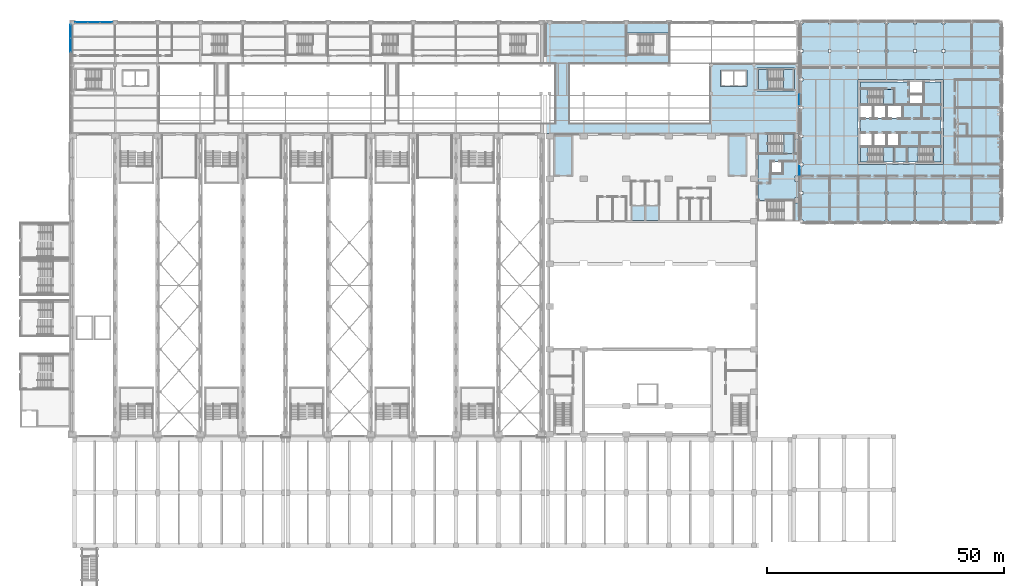
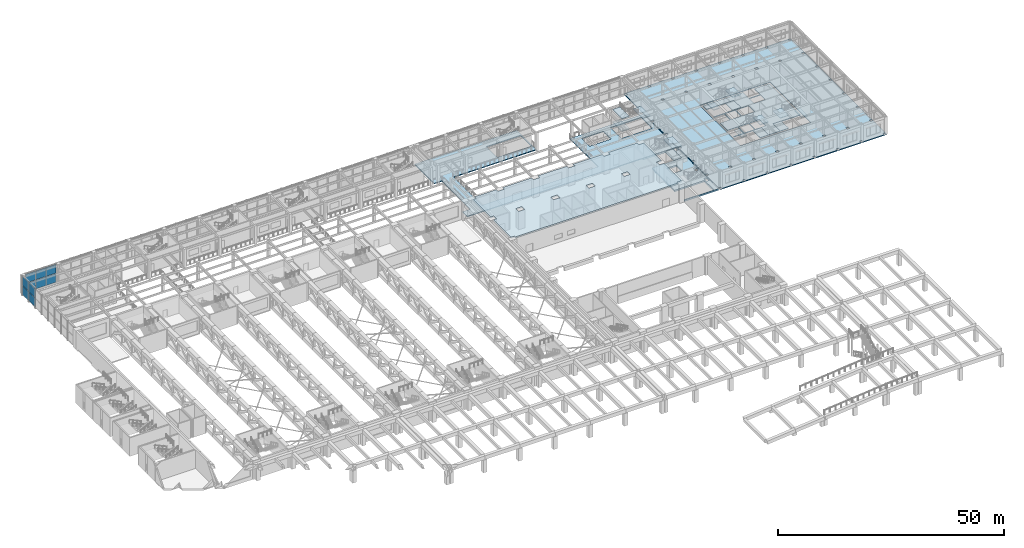
# One storey, part 29 of 76: 20 slabs, 12 plates, 7 elements without a shape of their own.
"""IFC4 building model written with IfcOpenShell, lengths in metres."""

from ifc_helpers import new_model, si_unit, direction, frame, origin, origin_2d, place, context, subcontext, project, spatial, polyline, rectangle, outline, extrude, material, layer, layer_set, type_object, element, aggregate, save


model = new_model("IFC4")

# Units and contexts
model_context = context("Model", 3, precision=1e-05, world=origin(), true_north=direction((0.0, 1.0)))
body_context = subcontext(model_context, "Body", "Model", "MODEL_VIEW")
ifc_project = project(units=[si_unit("LENGTHUNIT", "METRE"), si_unit("AREAUNIT", "SQUARE_METRE"), si_unit("VOLUMEUNIT", "CUBIC_METRE"), si_unit("PLANEANGLEUNIT", "RADIAN"), si_unit("MASSUNIT", "GRAM", prefix="KILO")], contexts=[model_context])

# Site, building, storey
site_placement = place(None, origin())
site = spatial("IfcSite", under=ifc_project, at=site_placement, CompositionType="ELEMENT")
building_placement = place(site_placement, origin())
building = spatial("IfcBuilding", under=site, at=building_placement, Name="Aravalli Gate Trade Fair Centre", CompositionType="ELEMENT")
storey_placement = place(building_placement, frame((0.0, 0.0, 10.0)))
storey = spatial("IfcBuildingStorey", under=building, at=storey_placement, Name="L02", CompositionType="ELEMENT", Elevation=10.0)

# Slab
ifc_material_1 = material(Name="Concrete M40", Category="concrete")
ifc_layer_1 = layer(ifc_material_1, 0.199951171875)
ifc_layer_set_1 = layer_set([ifc_layer_1], Name="Concrete M40")
slab_type_1 = type_object("IfcSlabType", Name="Concourse gallery slab 200", PredefinedType="FLOOR", material=ifc_layer_set_1)
slab_1_placement = place(storey_placement, frame((0.0, 0.0, -0.199951171875)))
element("IfcSlab", 1, at=slab_1_placement, inside=storey, type_object=slab_type_1, Name="Concourse gallery slab L02 3", PredefinedType="FLOOR", context=body_context, shape_type="SweptSolid", body=[
    extrude(outline(polyline([(132.14990234375, 132.919921875), (106.0, 132.919921875), (106.0, 124.300048828125), (108.0, 124.300048828125), (108.0, 111.699951171875), (106.0, 111.699951171875), (106.0, 109.60009765625), (159.5, 109.60009765625), (159.5, 124.300048828125), (140.699951171875, 124.300048828125), (140.699951171875, 111.699951171875), (111.0, 111.699951171875), (111.0, 124.300048828125), (132.14990234375, 124.300048828125), (132.14990234375, 132.919921875)]), holes=[polyline([(150.60009765625, 118.60009765625), (150.60009765625, 123.39990234375), (158.5, 123.39990234375), (158.5, 118.60009765625), (150.60009765625, 118.60009765625)]), polyline([(142.949951171875, 119.5), (142.949951171875, 123.0), (148.5, 123.0), (148.5, 119.5), (142.949951171875, 119.5)]), polyline([(123.14990234375, 130.800048828125), (131.85009765625, 130.800048828125), (131.85009765625, 126.0), (123.14990234375, 126.0), (123.14990234375, 130.800048828125)])]), origin(), (0.0, 0.0, 1.0), 0.199951171875),
])

# Stair, slabs
ifc_material_2 = material(Name="Concrete M30", Category="concrete")
stair_type_1 = type_object("IfcStairType", Name="Concourse stair, 2000 wide", PredefinedType="HALF_TURN_STAIR", material=ifc_material_2)
stair_1_placement = place(storey_placement, origin())
stair_1 = element("IfcStair", 2, at=stair_1_placement, inside=storey, type_object=stair_type_1, Name="Stair ES L02", PredefinedType="HALF_TURN_STAIR")
ifc_layer_2 = layer(ifc_material_2, 0.199951171875)
ifc_layer_set_2 = layer_set([ifc_layer_2], Name="Concrete M30")
slab_type_2 = type_object("IfcSlabType", Name="Concourse stair landing 200", PredefinedType="LANDING", material=ifc_layer_set_2)
slab_2_placement = place(storey_placement, frame((0.0, 0.0, 1.466796875)))
slab_2 = element("IfcSlab", 3, at=slab_2_placement, type_object=slab_type_2, Name="STES-L02 landing 1", PredefinedType="LANDING", context=body_context, shape_type="SweptSolid", body=[
    extrude(outline(polyline([(150.89990234375, 118.89990234375), (152.89990234375, 118.89990234375), (152.89990234375, 123.10009765625), (150.89990234375, 123.10009765625), (150.89990234375, 118.89990234375)])), origin(), (0.0, 0.0, 1.0), 0.199951171875),
])
slab_3_placement = place(storey_placement, frame((0.0, 0.0, 3.13330078125)))
slab_3 = element("IfcSlab", 4, at=slab_3_placement, type_object=slab_type_2, Name="STES-L02 landing 2", PredefinedType="LANDING", context=body_context, shape_type="SweptSolid", body=[
    extrude(outline(polyline([(156.199951171875, 118.89990234375), (158.199951171875, 118.89990234375), (158.199951171875, 123.10009765625), (156.199951171875, 123.10009765625), (156.199951171875, 118.89990234375)])), origin(), (0.0, 0.0, 1.0), 0.199951171875),
])
slab_4_placement = place(storey_placement, frame((0.0, 0.0, 4.800048828125)))
slab_4 = element("IfcSlab", 5, at=slab_4_placement, type_object=slab_type_2, Name="STES-L02 landing 3", PredefinedType="LANDING", context=body_context, shape_type="SweptSolid", body=[
    extrude(outline(polyline([(150.89990234375, 118.89990234375), (152.89990234375, 118.89990234375), (152.89990234375, 123.10009765625), (150.89990234375, 123.10009765625), (150.89990234375, 118.89990234375)])), origin(), (0.0, 0.0, 1.0), 0.199951171875),
])
aggregate(stair_1, [slab_2, slab_3, slab_4])

# Slab
ifc_layer_3 = layer(ifc_material_1, 0.39990234375)
ifc_layer_set_3 = layer_set([ifc_layer_3], Name="Concrete M40")
slab_type_3 = type_object("IfcSlabType", Name="Congress ceiling slab RC 400", PredefinedType="FLOOR", material=ifc_layer_set_3)
slab_5_placement = place(storey_placement, frame((0.0, 0.0, 4.60009765625)))
element("IfcSlab", 6, at=slab_5_placement, inside=storey, type_object=slab_type_3, Name="Foyer ceiling slab", PredefinedType="FLOOR", context=body_context, shape_type="SweptSolid", body=[
    extrude(outline(polyline([(150.39990234375, 91.60009765625), (149.199951171875, 91.60009765625), (149.199951171875, 91.199951171875), (107.60009765625, 91.199951171875), (107.60009765625, 91.60009765625), (106.800048828125, 91.60009765625), (106.800048828125, 99.39990234375), (107.60009765625, 99.39990234375), (107.60009765625, 100.60009765625), (106.800048828125, 100.60009765625), (106.800048828125, 108.39990234375), (107.60009765625, 108.39990234375), (107.60009765625, 109.14990234375), (113.199951171875, 109.14990234375), (113.199951171875, 108.39990234375), (114.800048828125, 108.39990234375), (114.800048828125, 109.14990234375), (122.199951171875, 109.14990234375), (122.199951171875, 108.39990234375), (123.800048828125, 108.39990234375), (123.800048828125, 109.14990234375), (131.199951171875, 109.14990234375), (131.199951171875, 108.39990234375), (132.800048828125, 108.39990234375), (132.800048828125, 109.14990234375), (140.199951171875, 109.14990234375), (140.199951171875, 108.39990234375), (141.800048828125, 108.39990234375), (141.800048828125, 109.14990234375), (149.199951171875, 109.14990234375), (149.199951171875, 108.39990234375), (150.39990234375, 108.39990234375), (150.39990234375, 100.60009765625), (149.199951171875, 100.60009765625), (149.199951171875, 99.39990234375), (150.39990234375, 99.39990234375), (150.39990234375, 91.60009765625)]), holes=[polyline([(123.800048828125, 99.39990234375), (123.800048828125, 100.60009765625), (122.199951171875, 100.60009765625), (122.199951171875, 99.39990234375), (123.800048828125, 99.39990234375)]), polyline([(114.800048828125, 99.39990234375), (114.800048828125, 100.60009765625), (113.199951171875, 100.60009765625), (113.199951171875, 99.39990234375), (114.800048828125, 99.39990234375)]), polyline([(141.800048828125, 99.39990234375), (141.800048828125, 100.60009765625), (140.199951171875, 100.60009765625), (140.199951171875, 99.39990234375), (141.800048828125, 99.39990234375)]), polyline([(132.800048828125, 99.39990234375), (132.800048828125, 100.60009765625), (131.199951171875, 100.60009765625), (131.199951171875, 99.39990234375), (132.800048828125, 99.39990234375)])]), origin(), (0.0, 0.0, 1.0), 0.39990234375),
])

# Curtain wall, plates
ifc_material_3 = material(Name="Aluminium and glass", Category="aluminium")
curtain_wall_type = type_object("IfcCurtainWallType", Name="Curtain wall 3000 module, tall", PredefinedType="NOTDEFINED", material=ifc_material_3)
curtain_wall_1_placement = place(storey_placement, origin())
curtain_wall_1 = element("IfcCurtainWall", 7, at=curtain_wall_1_placement, inside=storey, type_object=curtain_wall_type, Name="Curtain wall north bay 1 L02", PredefinedType="NOTDEFINED")
ifc_material_4 = material(Name="Glass, double glazed", Category="glass")
ifc_layer_4 = layer(ifc_material_4, 0.028076171875)
ifc_layer_set_4 = layer_set([ifc_layer_4], Name="Glass, double glazed")
plate_type_1 = type_object("IfcPlateType", Name="Curtain wall panel, double glazed 28", PredefinedType="CURTAIN_PANEL", material=ifc_layer_set_4)
plate_1_placement = place(storey_placement, frame((7.881591796875, 133.044921875, 0.06005859375), z_axis=(0.0, 0.0, 1.0), x_axis=(1.0, 0.0, 0.0)))
plate_1 = element("IfcPlate", 8, at=plate_1_placement, type_object=plate_type_1, Name="CW3 panel 1.1", PredefinedType="CURTAIN_PANEL", context=body_context, shape_type="SweptSolid", body=[
    extrude(rectangle(XDim=2.543212890625, YDim=0.028076171875, at=origin_2d()), origin(), (0.0, 0.0, 1.0), 2.409912109375),
])
plate_2_placement = place(storey_placement, frame((7.881591796875, 133.044921875, 2.5302734375), z_axis=(0.0, 0.0, 1.0), x_axis=(1.0, 0.0, 0.0)))
plate_2 = element("IfcPlate", 9, at=plate_2_placement, type_object=plate_type_1, Name="CW3 panel 1.2", PredefinedType="CURTAIN_PANEL", context=body_context, shape_type="SweptSolid", body=[
    extrude(rectangle(XDim=2.543212890625, YDim=0.028076171875, at=origin_2d()), origin(), (0.0, 0.0, 1.0), 2.409912109375),
])
plate_3_placement = place(storey_placement, frame((10.5, 133.044921875, 0.06005859375), z_axis=(0.0, 0.0, 1.0), x_axis=(1.0, 0.0, 0.0)))
plate_3 = element("IfcPlate", 10, at=plate_3_placement, type_object=plate_type_1, Name="CW3 panel 2.1", PredefinedType="CURTAIN_PANEL", context=body_context, shape_type="SweptSolid", body=[
    extrude(rectangle(XDim=2.5732421875, YDim=0.028076171875, at=origin_2d()), origin(), (0.0, 0.0, 1.0), 2.409912109375),
])
plate_4_placement = place(storey_placement, frame((10.5, 133.044921875, 2.5302734375), z_axis=(0.0, 0.0, 1.0), x_axis=(1.0, 0.0, 0.0)))
plate_4 = element("IfcPlate", 11, at=plate_4_placement, type_object=plate_type_1, Name="CW3 panel 2.2", PredefinedType="CURTAIN_PANEL", context=body_context, shape_type="SweptSolid", body=[
    extrude(rectangle(XDim=2.5732421875, YDim=0.028076171875, at=origin_2d()), origin(), (0.0, 0.0, 1.0), 2.409912109375),
])
plate_5_placement = place(storey_placement, frame((13.118408203125, 133.044921875, 0.06005859375), z_axis=(0.0, 0.0, 1.0), x_axis=(1.0, 0.0, 0.0)))
plate_5 = element("IfcPlate", 12, at=plate_5_placement, type_object=plate_type_1, Name="CW3 panel 3.1", PredefinedType="CURTAIN_PANEL", context=body_context, shape_type="SweptSolid", body=[
    extrude(rectangle(XDim=2.543212890625, YDim=0.028076171875, at=origin_2d()), origin(), (0.0, 0.0, 1.0), 2.409912109375),
])
plate_6_placement = place(storey_placement, frame((13.118408203125, 133.044921875, 2.5302734375), z_axis=(0.0, 0.0, 1.0), x_axis=(1.0, 0.0, 0.0)))
plate_6 = element("IfcPlate", 13, at=plate_6_placement, type_object=plate_type_1, Name="CW3 panel 3.2", PredefinedType="CURTAIN_PANEL", context=body_context, shape_type="SweptSolid", body=[
    extrude(rectangle(XDim=2.543212890625, YDim=0.028076171875, at=origin_2d()), origin(), (0.0, 0.0, 1.0), 2.409912109375),
])
aggregate(curtain_wall_1, [plate_1, plate_2, plate_3, plate_4, plate_5, plate_6])

curtain_wall_2_placement = place(storey_placement, origin())
curtain_wall_2 = element("IfcCurtainWall", 14, at=curtain_wall_2_placement, inside=storey, type_object=curtain_wall_type, Name="Curtain wall west end L02", PredefinedType="NOTDEFINED")
plate_7_placement = place(storey_placement, frame((5.574951171875, 128.28759765625, 0.06005859375), z_axis=(0.0, 0.0, 1.0), x_axis=(0.0, 1.0, 0.0)))
plate_7 = element("IfcPlate", 15, at=plate_7_placement, type_object=plate_type_1, Name="CW3 panel 7.1", PredefinedType="CURTAIN_PANEL", context=body_context, shape_type="SweptSolid", body=[
    extrude(rectangle(XDim=2.81494140625, YDim=0.028076171875, at=origin_2d()), origin(), (0.0, 0.0, 1.0), 2.409912109375),
])
plate_8_placement = place(storey_placement, frame((5.574951171875, 128.28759765625, 2.5302734375), z_axis=(0.0, 0.0, 1.0), x_axis=(0.0, 1.0, 0.0)))
plate_8 = element("IfcPlate", 16, at=plate_8_placement, type_object=plate_type_1, Name="CW3 panel 7.2", PredefinedType="CURTAIN_PANEL", context=body_context, shape_type="SweptSolid", body=[
    extrude(rectangle(XDim=2.81494140625, YDim=0.028076171875, at=origin_2d()), origin(), (0.0, 0.0, 1.0), 2.409912109375),
])
plate_9_placement = place(storey_placement, frame((5.574951171875, 131.1474609375, 0.06005859375), z_axis=(0.0, 0.0, 1.0), x_axis=(0.0, 1.0, 0.0)))
plate_9 = element("IfcPlate", 17, at=plate_9_placement, type_object=plate_type_1, Name="CW3 panel 8.1", PredefinedType="CURTAIN_PANEL", context=body_context, shape_type="SweptSolid", body=[
    extrude(rectangle(XDim=2.784912109375, YDim=0.028076171875, at=origin_2d()), origin(), (0.0, 0.0, 1.0), 2.409912109375),
])
plate_10_placement = place(storey_placement, frame((5.574951171875, 131.1474609375, 2.5302734375), z_axis=(0.0, 0.0, 1.0), x_axis=(0.0, 1.0, 0.0)))
plate_10 = element("IfcPlate", 18, at=plate_10_placement, type_object=plate_type_1, Name="CW3 panel 8.2", PredefinedType="CURTAIN_PANEL", context=body_context, shape_type="SweptSolid", body=[
    extrude(rectangle(XDim=2.784912109375, YDim=0.028076171875, at=origin_2d()), origin(), (0.0, 0.0, 1.0), 2.409912109375),
])
aggregate(curtain_wall_2, [plate_7, plate_8, plate_9, plate_10])

# Slabs
ifc_material_5 = material(Name="Concrete M50", Category="concrete")
ifc_layer_5 = layer(ifc_material_5, 0.409912109375)
ifc_layer_set_5 = layer_set([ifc_layer_5], Name="Concrete M50")
slab_type_4 = type_object("IfcSlabType", Name="Link floor slab 410", PredefinedType="FLOOR", material=ifc_layer_set_5)
slab_6_placement = place(storey_placement, frame((0.0, 0.0, -0.409912109375)))
element("IfcSlab", 19, at=slab_6_placement, inside=storey, type_object=slab_type_4, Name="Link floor slab L02", PredefinedType="FLOOR", context=body_context, shape_type="SweptSolid", body=[
    extrude(outline(polyline([(159.5, 109.60009765625), (159.5, 91.0), (150.800048828125, 91.0), (150.800048828125, 91.25), (158.39990234375, 91.25), (158.39990234375, 95.35009765625), (150.800048828125, 95.35009765625), (150.800048828125, 105.35009765625), (158.39990234375, 105.35009765625), (158.39990234375, 109.449951171875), (150.800048828125, 109.449951171875), (150.800048828125, 109.60009765625), (158.60009765625, 109.60009765625), (158.60009765625, 108.39990234375), (159.39990234375, 108.39990234375), (159.39990234375, 109.60009765625), (159.5, 109.60009765625)]), holes=[polyline([(158.60009765625, 96.050048828125), (158.60009765625, 94.85009765625), (159.39990234375, 94.85009765625), (159.39990234375, 96.050048828125), (158.60009765625, 96.050048828125)]), polyline([(158.60009765625, 100.60009765625), (158.60009765625, 99.39990234375), (159.39990234375, 99.39990234375), (159.39990234375, 100.60009765625), (158.60009765625, 100.60009765625)]), polyline([(153.60009765625, 101.199951171875), (156.0, 101.199951171875), (156.0, 103.60009765625), (153.60009765625, 103.60009765625), (153.60009765625, 101.199951171875)])]), origin(), (0.0, 0.0, 1.0), 0.409912109375),
])
ifc_layer_6 = layer(ifc_material_5, 0.199951171875)
ifc_layer_set_6 = layer_set([ifc_layer_6], Name="Concrete M50")
slab_type_5 = type_object("IfcSlabType", Name="Wing core floor slab 200", PredefinedType="FLOOR", material=ifc_layer_set_6)
slab_7_placement = place(storey_placement, frame((0.0, 0.0, -0.199951171875)))
element("IfcSlab", 20, at=slab_7_placement, inside=storey, type_object=slab_type_5, Name="Core floor slab L02", PredefinedType="FLOOR", context=body_context, shape_type="SweptSolid", body=[
    extrude(outline(polyline([(189.5, 120.5), (189.5, 106.699951171875), (182.5, 106.699951171875), (182.5, 103.5), (179.5, 103.5), (179.5, 106.699951171875), (172.5, 106.699951171875), (172.5, 106.89990234375), (175.10009765625, 106.89990234375), (175.10009765625, 109.60009765625), (172.5, 109.60009765625), (172.5, 112.800048828125), (175.10009765625, 112.800048828125), (175.10009765625, 115.5), (172.5, 115.5), (172.5, 115.699951171875), (179.5, 115.699951171875), (179.5, 118.89990234375), (172.5, 118.89990234375), (172.5, 120.5), (182.800048828125, 120.5), (182.800048828125, 118.0), (185.699951171875, 118.0), (185.699951171875, 120.5), (189.5, 120.5)]), holes=[polyline([(175.300048828125, 109.60009765625), (175.300048828125, 106.89990234375), (177.89990234375, 106.89990234375), (177.89990234375, 109.60009765625), (175.300048828125, 109.60009765625)]), polyline([(177.89990234375, 115.5), (175.300048828125, 115.5), (175.300048828125, 112.800048828125), (177.89990234375, 112.800048828125), (177.89990234375, 115.5)]), polyline([(180.699951171875, 109.60009765625), (178.10009765625, 109.60009765625), (178.10009765625, 106.89990234375), (180.699951171875, 106.89990234375), (180.699951171875, 109.60009765625)]), polyline([(178.10009765625, 115.5), (178.10009765625, 112.800048828125), (181.300048828125, 112.800048828125), (181.300048828125, 115.5), (178.10009765625, 115.5)]), polyline([(185.699951171875, 117.800048828125), (182.800048828125, 117.800048828125), (182.800048828125, 115.699951171875), (185.699951171875, 115.699951171875), (185.699951171875, 117.800048828125)])]), origin(), (0.0, 0.0, 1.0), 0.199951171875),
])

# Stair, slabs
stair_type_2 = type_object("IfcStairType", Name="Wing core stair", PredefinedType="HALF_TURN_STAIR", material=ifc_material_2)
stair_2_placement = place(storey_placement, origin())
stair_2 = element("IfcStair", 21, at=stair_2_placement, inside=storey, type_object=stair_type_2, Name="Stair S2 L02", PredefinedType="HALF_TURN_STAIR")
ifc_layer_7 = layer(ifc_material_2, 0.199951171875)
ifc_layer_set_7 = layer_set([ifc_layer_7], Name="Concrete M30")
slab_type_6 = type_object("IfcSlabType", Name="Wing core stair landing 200", PredefinedType="LANDING", material=ifc_layer_set_7)
slab_8_placement = place(storey_placement, frame((0.0, 0.0, -0.199951171875)))
slab_8 = element("IfcSlab", 22, at=slab_8_placement, type_object=slab_type_6, Name="TST1 landing 1", PredefinedType="LANDING", context=body_context, shape_type="SweptSolid", body=[
    extrude(outline(polyline([(177.35009765625, 103.5), (179.5, 103.5), (179.5, 106.699951171875), (177.35009765625, 106.699951171875), (177.35009765625, 103.5)])), origin(), (0.0, 0.0, 1.0), 0.199951171875),
])
slab_9_placement = place(storey_placement, frame((0.0, 0.0, 1.564697265625)))
slab_9 = element("IfcSlab", 23, at=slab_9_placement, type_object=slab_type_6, Name="TST1 landing 2", PredefinedType="LANDING", context=body_context, shape_type="SweptSolid", body=[
    extrude(outline(polyline([(172.5, 103.5), (174.050048828125, 103.5), (174.050048828125, 106.699951171875), (172.5, 106.699951171875), (172.5, 103.5)])), origin(), (0.0, 0.0, 1.0), 0.199951171875),
])
slab_10_placement = place(storey_placement, frame((0.0, 0.0, 3.329345703125)))
slab_10 = element("IfcSlab", 24, at=slab_10_placement, type_object=slab_type_6, Name="TST1 landing 3", PredefinedType="LANDING", context=body_context, shape_type="SweptSolid", body=[
    extrude(outline(polyline([(177.35009765625, 103.5), (179.5, 103.5), (179.5, 106.699951171875), (177.35009765625, 106.699951171875), (177.35009765625, 103.5)])), origin(), (0.0, 0.0, 1.0), 0.199951171875),
])
aggregate(stair_2, [slab_8, slab_9, slab_10])

stair_3_placement = place(storey_placement, origin())
stair_3 = element("IfcStair", 25, at=stair_3_placement, inside=storey, type_object=stair_type_2, Name="Stair S1 L02", PredefinedType="HALF_TURN_STAIR")
slab_11_placement = place(storey_placement, frame((0.0, 0.0, -0.199951171875)))
slab_11 = element("IfcSlab", 26, at=slab_11_placement, type_object=slab_type_6, Name="TST1 landing 1", PredefinedType="LANDING", context=body_context, shape_type="SweptSolid", body=[
    extrude(outline(polyline([(182.5, 103.5), (184.64990234375, 103.5), (184.64990234375, 106.699951171875), (182.5, 106.699951171875), (182.5, 103.5)])), origin(), (0.0, 0.0, 1.0), 0.199951171875),
])
slab_12_placement = place(storey_placement, frame((0.0, 0.0, 1.564697265625)))
slab_12 = element("IfcSlab", 27, at=slab_12_placement, type_object=slab_type_6, Name="TST1 landing 2", PredefinedType="LANDING", context=body_context, shape_type="SweptSolid", body=[
    extrude(outline(polyline([(187.949951171875, 103.5), (189.5, 103.5), (189.5, 106.699951171875), (187.949951171875, 106.699951171875), (187.949951171875, 103.5)])), origin(), (0.0, 0.0, 1.0), 0.199951171875),
])
slab_13_placement = place(storey_placement, frame((0.0, 0.0, 3.329345703125)))
slab_13 = element("IfcSlab", 28, at=slab_13_placement, type_object=slab_type_6, Name="TST1 landing 3", PredefinedType="LANDING", context=body_context, shape_type="SweptSolid", body=[
    extrude(outline(polyline([(182.5, 103.5), (184.64990234375, 103.5), (184.64990234375, 106.699951171875), (182.5, 106.699951171875), (182.5, 103.5)])), origin(), (0.0, 0.0, 1.0), 0.199951171875),
])
aggregate(stair_3, [slab_11, slab_12, slab_13])

stair_4_placement = place(storey_placement, origin())
stair_4 = element("IfcStair", 29, at=stair_4_placement, inside=storey, type_object=stair_type_2, Name="Stair FFS L02", PredefinedType="HALF_TURN_STAIR")
slab_14_placement = place(storey_placement, frame((0.0, 0.0, -0.199951171875)))
slab_14 = element("IfcSlab", 30, at=slab_14_placement, type_object=slab_type_6, Name="TST1 landing 1", PredefinedType="LANDING", context=body_context, shape_type="SweptSolid", body=[
    extrude(outline(polyline([(177.35009765625, 115.699951171875), (179.5, 115.699951171875), (179.5, 118.89990234375), (177.35009765625, 118.89990234375), (177.35009765625, 115.699951171875)])), origin(), (0.0, 0.0, 1.0), 0.199951171875),
])
slab_15_placement = place(storey_placement, frame((0.0, 0.0, 1.564697265625)))
slab_15 = element("IfcSlab", 31, at=slab_15_placement, type_object=slab_type_6, Name="TST1 landing 2", PredefinedType="LANDING", context=body_context, shape_type="SweptSolid", body=[
    extrude(outline(polyline([(172.5, 115.699951171875), (174.050048828125, 115.699951171875), (174.050048828125, 118.89990234375), (172.5, 118.89990234375), (172.5, 115.699951171875)])), origin(), (0.0, 0.0, 1.0), 0.199951171875),
])
slab_16_placement = place(storey_placement, frame((0.0, 0.0, 3.329345703125)))
slab_16 = element("IfcSlab", 32, at=slab_16_placement, type_object=slab_type_6, Name="TST1 landing 3", PredefinedType="LANDING", context=body_context, shape_type="SweptSolid", body=[
    extrude(outline(polyline([(177.35009765625, 115.699951171875), (179.5, 115.699951171875), (179.5, 118.89990234375), (177.35009765625, 118.89990234375), (177.35009765625, 115.699951171875)])), origin(), (0.0, 0.0, 1.0), 0.199951171875),
])
aggregate(stair_4, [slab_14, slab_15, slab_16])

stair_5_placement = place(storey_placement, origin())
stair_5 = element("IfcStair", 33, at=stair_5_placement, inside=storey, type_object=stair_type_2, Name="Stair LB L02", PredefinedType="HALF_TURN_STAIR")
slab_17_placement = place(storey_placement, frame((0.0, 0.0, -0.199951171875)))
slab_17 = element("IfcSlab", 34, at=slab_17_placement, type_object=slab_type_6, Name="TST1 landing 1", PredefinedType="LANDING", context=body_context, shape_type="SweptSolid", body=[
    extrude(outline(polyline([(156.39990234375, 105.35009765625), (158.39990234375, 105.35009765625), (158.39990234375, 109.449951171875), (156.39990234375, 109.449951171875), (156.39990234375, 105.35009765625)])), origin(), (0.0, 0.0, 1.0), 0.199951171875),
])
slab_18_placement = place(storey_placement, frame((0.0, 0.0, 1.564697265625)))
slab_18 = element("IfcSlab", 35, at=slab_18_placement, type_object=slab_type_6, Name="TST1 landing 2", PredefinedType="LANDING", context=body_context, shape_type="SweptSolid", body=[
    extrude(outline(polyline([(150.800048828125, 105.35009765625), (152.802978515625, 105.35009765625), (152.802978515625, 109.449951171875), (150.800048828125, 109.449951171875), (150.800048828125, 105.35009765625)])), origin(), (0.0, 0.0, 1.0), 0.199951171875),
])
slab_19_placement = place(storey_placement, frame((0.0, 0.0, 3.182373046875)))
slab_19 = element("IfcSlab", 36, at=slab_19_placement, type_object=slab_type_6, Name="TST1 landing 3", PredefinedType="LANDING", context=body_context, shape_type="SweptSolid", body=[
    extrude(outline(polyline([(156.072998046875, 105.35009765625), (158.39990234375, 105.35009765625), (158.39990234375, 109.449951171875), (156.072998046875, 109.449951171875), (156.072998046875, 105.35009765625)])), origin(), (0.0, 0.0, 1.0), 0.199951171875),
])
aggregate(stair_5, [slab_17, slab_18, slab_19])

# Slab
ifc_layer_8 = layer(ifc_material_5, 0.199951171875)
ifc_layer_set_8 = layer_set([ifc_layer_8], Name="Concrete M50")
slab_type_7 = type_object("IfcSlabType", Name="Wing floor slab 200", PredefinedType="FLOOR", material=ifc_layer_set_8)
slab_20_placement = place(storey_placement, frame((0.0, 0.0, -0.199951171875)))
element("IfcSlab", 37, at=slab_20_placement, inside=storey, type_object=slab_type_7, Name="Wing floor slab L02", PredefinedType="FLOOR", context=body_context, shape_type="SweptSolid", body=[
    extrude(outline(polyline([(159.695068359375, 133.304931640625), (202.304931640625, 133.304931640625), (202.304931640625, 90.695068359375), (159.695068359375, 90.695068359375), (159.695068359375, 133.304931640625)]), holes=[polyline([(178.300048828125, 91.300048828125), (177.699951171875, 91.300048828125), (177.699951171875, 90.699951171875), (178.300048828125, 90.699951171875), (178.300048828125, 91.300048828125)]), polyline([(172.300048828125, 91.300048828125), (171.699951171875, 91.300048828125), (171.699951171875, 90.699951171875), (172.300048828125, 90.699951171875), (172.300048828125, 91.300048828125)]), polyline([(166.300048828125, 91.300048828125), (165.699951171875, 91.300048828125), (165.699951171875, 90.699951171875), (166.300048828125, 90.699951171875), (166.300048828125, 91.300048828125)]), polyline([(160.300048828125, 90.699951171875), (160.300048828125, 91.300048828125), (159.699951171875, 91.300048828125), (159.699951171875, 90.699951171875), (160.300048828125, 90.699951171875)]), polyline([(166.300048828125, 96.699951171875), (166.300048828125, 97.300048828125), (165.699951171875, 97.300048828125), (165.699951171875, 96.699951171875), (166.300048828125, 96.699951171875)]), polyline([(178.300048828125, 97.300048828125), (177.699951171875, 97.300048828125), (177.699951171875, 96.699951171875), (178.300048828125, 96.699951171875), (178.300048828125, 97.300048828125)]), polyline([(172.300048828125, 97.300048828125), (171.699951171875, 97.300048828125), (171.699951171875, 96.699951171875), (172.300048828125, 96.699951171875), (172.300048828125, 97.300048828125)]), polyline([(160.300048828125, 97.300048828125), (159.699951171875, 97.300048828125), (159.699951171875, 96.699951171875), (160.300048828125, 96.699951171875), (160.300048828125, 97.300048828125)]), polyline([(160.300048828125, 102.699951171875), (160.300048828125, 103.300048828125), (159.699951171875, 103.300048828125), (159.699951171875, 102.699951171875), (160.300048828125, 102.699951171875)]), polyline([(160.300048828125, 108.699951171875), (160.300048828125, 109.300048828125), (159.699951171875, 109.300048828125), (159.699951171875, 108.699951171875), (160.300048828125, 108.699951171875)]), polyline([(160.300048828125, 115.300048828125), (159.699951171875, 115.300048828125), (159.699951171875, 114.699951171875), (160.300048828125, 114.699951171875), (160.300048828125, 115.300048828125)]), polyline([(160.300048828125, 121.300048828125), (159.699951171875, 121.300048828125), (159.699951171875, 120.699951171875), (160.300048828125, 120.699951171875), (160.300048828125, 121.300048828125)]), polyline([(160.300048828125, 127.300048828125), (159.699951171875, 127.300048828125), (159.699951171875, 126.699951171875), (160.300048828125, 126.699951171875), (160.300048828125, 127.300048828125)]), polyline([(166.300048828125, 126.699951171875), (166.300048828125, 127.300048828125), (165.699951171875, 127.300048828125), (165.699951171875, 126.699951171875), (166.300048828125, 126.699951171875)]), polyline([(172.300048828125, 126.699951171875), (172.300048828125, 127.300048828125), (171.699951171875, 127.300048828125), (171.699951171875, 126.699951171875), (172.300048828125, 126.699951171875)]), polyline([(178.300048828125, 127.300048828125), (177.699951171875, 127.300048828125), (177.699951171875, 126.699951171875), (178.300048828125, 126.699951171875), (178.300048828125, 127.300048828125)]), polyline([(160.300048828125, 133.300048828125), (159.699951171875, 133.300048828125), (159.699951171875, 132.699951171875), (160.300048828125, 132.699951171875), (160.300048828125, 133.300048828125)]), polyline([(166.300048828125, 133.300048828125), (165.699951171875, 133.300048828125), (165.699951171875, 132.699951171875), (166.300048828125, 132.699951171875), (166.300048828125, 133.300048828125)]), polyline([(172.300048828125, 132.699951171875), (172.300048828125, 133.300048828125), (171.699951171875, 133.300048828125), (171.699951171875, 132.699951171875), (172.300048828125, 132.699951171875)]), polyline([(178.300048828125, 132.699951171875), (178.300048828125, 133.300048828125), (177.699951171875, 133.300048828125), (177.699951171875, 132.699951171875), (178.300048828125, 132.699951171875)]), polyline([(202.300048828125, 91.300048828125), (201.699951171875, 91.300048828125), (201.699951171875, 90.699951171875), (202.300048828125, 90.699951171875), (202.300048828125, 91.300048828125)]), polyline([(196.300048828125, 91.300048828125), (195.699951171875, 91.300048828125), (195.699951171875, 90.699951171875), (196.300048828125, 90.699951171875), (196.300048828125, 91.300048828125)]), polyline([(184.300048828125, 91.300048828125), (183.699951171875, 91.300048828125), (183.699951171875, 90.699951171875), (184.300048828125, 90.699951171875), (184.300048828125, 91.300048828125)]), polyline([(190.300048828125, 90.699951171875), (190.300048828125, 91.300048828125), (189.699951171875, 91.300048828125), (189.699951171875, 90.699951171875), (190.300048828125, 90.699951171875)]), polyline([(196.300048828125, 96.699951171875), (196.300048828125, 97.300048828125), (195.699951171875, 97.300048828125), (195.699951171875, 96.699951171875), (196.300048828125, 96.699951171875)]), polyline([(190.300048828125, 97.300048828125), (189.699951171875, 97.300048828125), (189.699951171875, 96.699951171875), (190.300048828125, 96.699951171875), (190.300048828125, 97.300048828125)]), polyline([(202.300048828125, 97.300048828125), (201.699951171875, 97.300048828125), (201.699951171875, 96.699951171875), (202.300048828125, 96.699951171875), (202.300048828125, 97.300048828125)]), polyline([(184.300048828125, 97.300048828125), (183.699951171875, 97.300048828125), (183.699951171875, 96.699951171875), (184.300048828125, 96.699951171875), (184.300048828125, 97.300048828125)]), polyline([(202.300048828125, 102.699951171875), (202.300048828125, 103.300048828125), (201.699951171875, 103.300048828125), (201.699951171875, 102.699951171875), (202.300048828125, 102.699951171875)]), polyline([(202.300048828125, 108.699951171875), (202.300048828125, 109.300048828125), (201.699951171875, 109.300048828125), (201.699951171875, 108.699951171875), (202.300048828125, 108.699951171875)]), polyline([(202.300048828125, 115.300048828125), (201.699951171875, 115.300048828125), (201.699951171875, 114.699951171875), (202.300048828125, 114.699951171875), (202.300048828125, 115.300048828125)]), polyline([(202.300048828125, 121.300048828125), (201.699951171875, 121.300048828125), (201.699951171875, 120.699951171875), (202.300048828125, 120.699951171875), (202.300048828125, 121.300048828125)]), polyline([(190.300048828125, 127.300048828125), (189.699951171875, 127.300048828125), (189.699951171875, 126.699951171875), (190.300048828125, 126.699951171875), (190.300048828125, 127.300048828125)]), polyline([(196.300048828125, 126.699951171875), (196.300048828125, 127.300048828125), (195.699951171875, 127.300048828125), (195.699951171875, 126.699951171875), (196.300048828125, 126.699951171875)]), polyline([(184.300048828125, 126.699951171875), (184.300048828125, 127.300048828125), (183.699951171875, 127.300048828125), (183.699951171875, 126.699951171875), (184.300048828125, 126.699951171875)]), polyline([(202.300048828125, 127.300048828125), (201.699951171875, 127.300048828125), (201.699951171875, 126.699951171875), (202.300048828125, 126.699951171875), (202.300048828125, 127.300048828125)]), polyline([(196.300048828125, 133.300048828125), (195.699951171875, 133.300048828125), (195.699951171875, 132.699951171875), (196.300048828125, 132.699951171875), (196.300048828125, 133.300048828125)]), polyline([(202.300048828125, 133.300048828125), (201.699951171875, 133.300048828125), (201.699951171875, 132.699951171875), (202.300048828125, 132.699951171875), (202.300048828125, 133.300048828125)]), polyline([(190.300048828125, 132.699951171875), (190.300048828125, 133.300048828125), (189.699951171875, 133.300048828125), (189.699951171875, 132.699951171875), (190.300048828125, 132.699951171875)]), polyline([(184.300048828125, 132.699951171875), (184.300048828125, 133.300048828125), (183.699951171875, 133.300048828125), (183.699951171875, 132.699951171875), (184.300048828125, 132.699951171875)]), polyline([(190.0, 121.0), (172.0, 121.0), (172.0, 103.0), (190.0, 103.0), (190.0, 121.0)])]), origin(), (0.0, 0.0, 1.0), 0.199951171875),
])

# Plates
ifc_material_6 = material(Name="Steel E350", Category="steel")
ifc_layer_9 = layer(ifc_material_6, 0.199951171875)
ifc_layer_set_9 = layer_set([ifc_layer_9], Name="Steel E350")
plate_type_2 = type_object("IfcPlateType", Name="Wing joint cover plate 300", PredefinedType="SHEET", material=ifc_layer_set_9)
plate_11_placement = place(storey_placement, frame((0.0, 0.0, -0.199951171875)))
element("IfcPlate", 38, at=plate_11_placement, inside=storey, type_object=plate_type_2, Name="Joint cover plate T-L02-181", PredefinedType="SHEET", context=body_context, shape_type="SweptSolid", body=[
    extrude(outline(polyline([(159.5, 100.89990234375), (159.695068359375, 100.89990234375), (159.695068359375, 102.699951171875), (159.5, 102.699951171875), (159.5, 100.89990234375)])), origin(), (0.0, 0.0, 1.0), 0.199951171875),
])
plate_12_placement = place(storey_placement, frame((0.0, 0.0, -0.199951171875)))
element("IfcPlate", 39, at=plate_12_placement, inside=storey, type_object=plate_type_2, Name="Joint cover plate T-L02-182", PredefinedType="SHEET", context=body_context, shape_type="SweptSolid", body=[
    extrude(outline(polyline([(159.5, 115.800048828125), (159.695068359375, 115.800048828125), (159.695068359375, 117.800048828125), (159.5, 117.800048828125), (159.5, 115.800048828125)])), origin(), (0.0, 0.0, 1.0), 0.199951171875),
])

save(model, "model.ifc")
